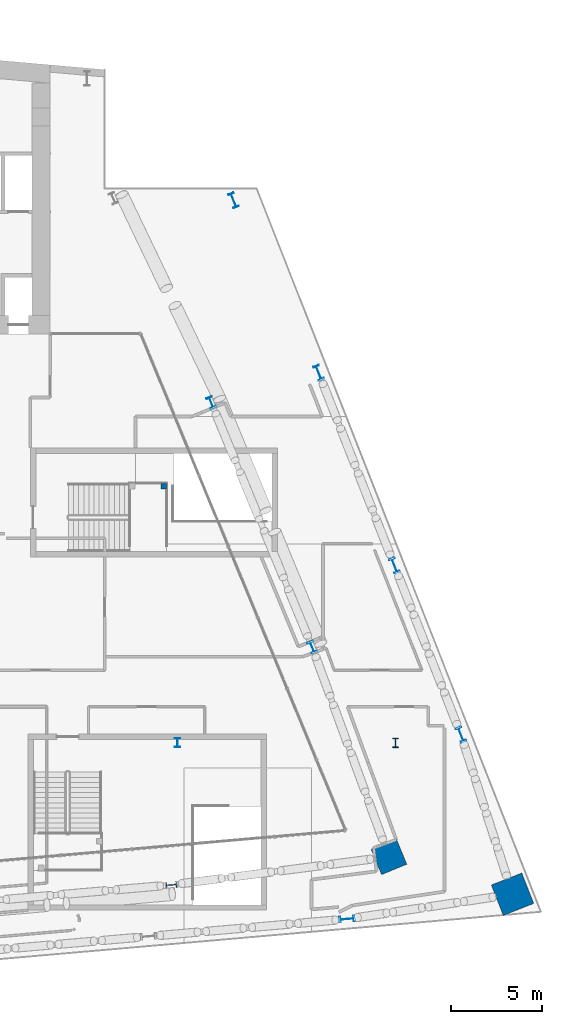
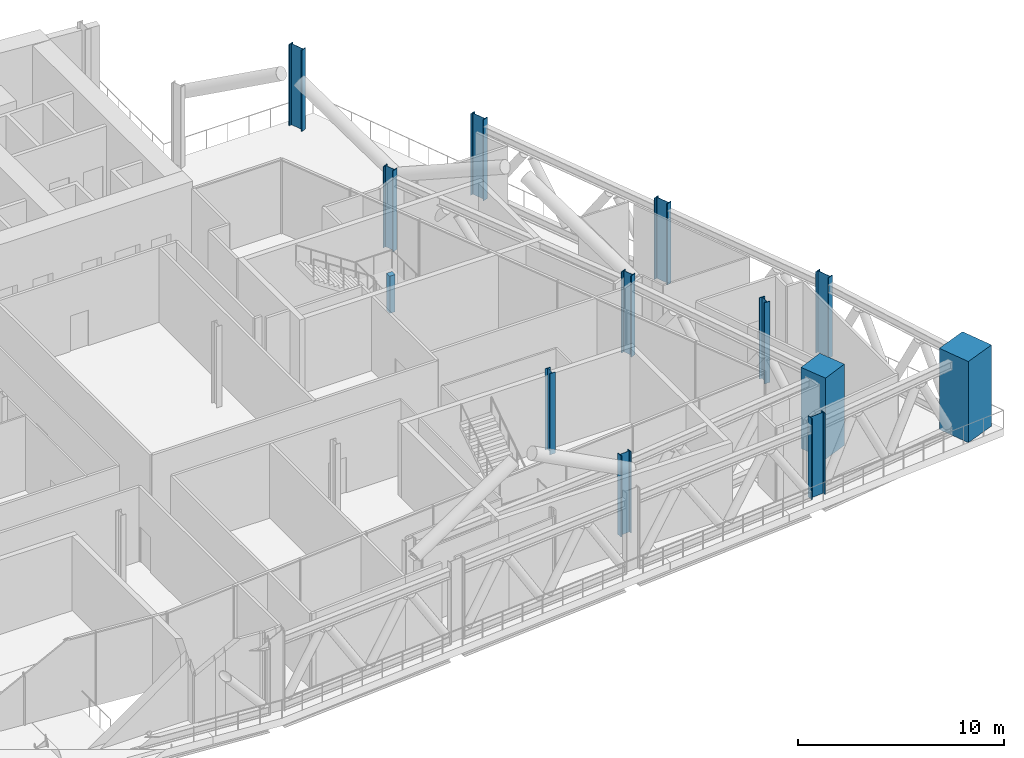
# One storey, part 4 of 42: 13 columns.
"""IFC4 building model written with IfcOpenShell, lengths in metres."""

from ifc_helpers import new_model, si_unit, direction, frame, origin, origin_2d, place, context, subcontext, project, spatial, rectangle, i_section, extrude, material, material_profile, profile_set, type_object, element, save


model = new_model("IFC4")

# Units and contexts
model_context = context("Model", 3, precision=1e-05, world=origin(), true_north=direction((0.0, 1.0)))
body_context = subcontext(model_context, "Body", "Model", "MODEL_VIEW")
ifc_project = project(units=[si_unit("LENGTHUNIT", "METRE"), si_unit("AREAUNIT", "SQUARE_METRE"), si_unit("VOLUMEUNIT", "CUBIC_METRE"), si_unit("PLANEANGLEUNIT", "RADIAN"), si_unit("MASSUNIT", "GRAM", prefix="KILO")], contexts=[model_context])

# Site, building, storey
site_placement = place(None, origin())
site = spatial("IfcSite", under=ifc_project, at=site_placement, CompositionType="ELEMENT")
building_placement = place(site_placement, origin())
building = spatial("IfcBuilding", under=site, at=building_placement, Name="Wharfspan Tower", CompositionType="ELEMENT")
storey_placement = place(building_placement, frame((0.0, 0.0, 147.100098)))
storey = spatial("IfcBuildingStorey", under=building, at=storey_placement, Name="L35", CompositionType="ELEMENT", Elevation=147.100098)

# Columns
ifc_material_1 = material(Name="Steel S355J2", Category="steel")
ifc_material_profile_1 = material_profile(ifc_material_1, i_section(OverallWidth=0.300049, OverallDepth=0.5, WebThickness=0.014404, FlangeThickness=0.028076, FilletRadius=0.0271, at=origin_2d()))
ifc_profile_set_1 = profile_set([ifc_material_profile_1], Name="Steel S355J2")
column_type_1 = type_object("IfcColumnType", Name="Column HEB 500", PredefinedType="COLUMN", material=ifc_profile_set_1)
column_1_placement = place(storey_placement, frame((72.0, 11.5, 0.0), z_axis=(0.0, 0.0, 1.0), x_axis=(1.0, 0.0, 0.0)))
element("IfcColumn", 1, at=column_1_placement, inside=storey, type_object=column_type_1, Name="Interior column I.1.5 L35", PredefinedType="COLUMN", context=body_context, shape_type="SweptSolid", body=[
    extrude(i_section(OverallWidth=0.300049, OverallDepth=0.5, WebThickness=0.014404, FlangeThickness=0.028076, FilletRadius=0.0271, at=origin_2d()), origin(), (0.0, 0.0, 1.0), 4.799805),
])
ifc_material_profile_2 = material_profile(ifc_material_1, i_section(OverallWidth=0.305908, OverallDepth=0.523926, WebThickness=0.020996, FlangeThickness=0.040039, FilletRadius=0.0271, at=origin_2d()))
ifc_profile_set_2 = profile_set([ifc_material_profile_2], Name="Steel S355J2")
column_type_2 = type_object("IfcColumnType", Name="Column HEM 500", PredefinedType="COLUMN", material=ifc_profile_set_2)
column_2_placement = place(storey_placement, frame((84.0, 11.5, 0.0), z_axis=(0.0, 0.0, 1.0), x_axis=(1.0, 0.0, 0.0)))
element("IfcColumn", 2, at=column_2_placement, inside=storey, type_object=column_type_2, Name="Interior column I.1.7.S L35", PredefinedType="COLUMN", context=body_context, shape_type="SweptSolid", body=[
    extrude(i_section(OverallWidth=0.305908, OverallDepth=0.523926, WebThickness=0.020996, FlangeThickness=0.040039, FilletRadius=0.0271, at=origin_2d()), origin(), (0.0, 0.0, 1.0), 4.799805),
])
ifc_material_profile_3 = material_profile(ifc_material_1, i_section(OverallWidth=0.304932, OverallDepth=0.620117, WebThickness=0.020996, FlangeThickness=0.040039, FilletRadius=0.0271, at=origin_2d()))
ifc_profile_set_3 = profile_set([ifc_material_profile_3], Name="Steel S355J2")
column_type_3 = type_object("IfcColumnType", Name="Column HEM 600", PredefinedType="COLUMN", material=ifc_profile_set_3)
for number, where, z_axis, x_axis, name in (
    (3, (71.661865, 3.684814, 0.0), (0.0, 0.0, 1.0), (0.087156, -0.996198, 0.0), "Perimeter column PS2.2 L35"),
    (4, (79.409668, 16.761719, 0.0), (0.0, 0.0, 1.0), (0.924325, 0.381602, 0.0), "Perimeter column PE.1 L35"),
    (5, (73.85376, 30.219238, 0.0), (0.0, 0.0, 1.0), (0.924325, 0.381602, 0.0), "Perimeter column PE.2 L35"),
):
    element("IfcColumn", number, at=place(storey_placement, frame(where, z_axis=z_axis, x_axis=x_axis)), inside=storey, type_object=column_type_3, Name=name, PredefinedType="COLUMN", context=body_context, shape_type="SweptSolid", body=[
        extrude(i_section(OverallWidth=0.304932, OverallDepth=0.620117, WebThickness=0.020996, FlangeThickness=0.040039, FilletRadius=0.0271, at=origin_2d()), origin(), (0.0, 0.0, 1.0), 4.799805),
    ])
ifc_material_profile_4 = material_profile(ifc_material_1, i_section(OverallWidth=0.302979, OverallDepth=0.813965, WebThickness=0.020996, FlangeThickness=0.040039, FilletRadius=0.030029, at=origin_2d()))
ifc_profile_set_4 = profile_set([ifc_material_profile_4], Name="Steel S355J2")
column_type_4 = type_object("IfcColumnType", Name="Column HEM 800", PredefinedType="COLUMN", material=ifc_profile_set_4)
for number, where, z_axis, x_axis, name in (
    (6, (81.327881, 1.80835, 0.0), (0.0, 0.0, 1.0), (0.087156, -0.996198, 0.0), "Perimeter column PS2.3.S L35"),
    (7, (87.586914, 11.952393, 0.0), (0.0, 0.0, 1.0), (0.930702, 0.365778, 0.0), "Perimeter column PE.1.S L35"),
    (8, (83.932617, 21.250977, 0.0), (0.0, 0.0, 1.0), (0.930702, 0.365778, 0.0), "Perimeter column PE.2.S L35"),
    (9, (79.765869, 31.852539, 0.0), (0.0, 0.0, 1.0), (0.930702, 0.365778, 0.0), "Perimeter column PE.3.S L35"),
    (10, (75.084961, 41.337646, 0.0), (0.0, 0.0, 1.0), (0.930702, 0.365778, 0.0), "Perimeter column PE.4.S L35"),
):
    element("IfcColumn", number, at=place(storey_placement, frame(where, z_axis=z_axis, x_axis=x_axis)), inside=storey, type_object=column_type_4, Name=name, PredefinedType="COLUMN", context=body_context, shape_type="SweptSolid", body=[
        extrude(i_section(OverallWidth=0.302979, OverallDepth=0.813965, WebThickness=0.020996, FlangeThickness=0.040039, FilletRadius=0.030029, at=origin_2d()), origin(), (0.0, 0.0, 1.0), 4.799805),
    ])
ifc_material_2 = material(Name="Concrete C40/50", Category="concrete")
ifc_material_profile_5 = material_profile(ifc_material_2, rectangle(XDim=0.300049, YDim=0.300049, at=origin_2d()))
ifc_profile_set_5 = profile_set([ifc_material_profile_5], Name="Concrete C40/50")
column_type_5 = type_object("IfcColumnType", Name="Landing pier 300 C40/50", PredefinedType="COLUMN", material=ifc_profile_set_5)
column_3_placement = place(storey_placement, frame((71.254883, 25.625, 0.0), z_axis=(0.0, 0.0, 1.0), x_axis=(1.0, 0.0, 0.0)))
element("IfcColumn", 11, at=column_3_placement, inside=storey, type_object=column_type_5, Name="ST6 landing pier L35", PredefinedType="COLUMN", context=body_context, shape_type="SweptSolid", body=[
    extrude(rectangle(XDim=0.300049, YDim=0.300049, at=origin_2d()), origin(), (0.0, 0.0, 1.0), 2.199951),
])
ifc_material_3 = material(Name="Concrete C60/75", Category="concrete")
ifc_material_profile_6 = material_profile(ifc_material_3, rectangle(XDim=1.5, YDim=1.5, at=origin_2d()))
ifc_profile_set_6 = profile_set([ifc_material_profile_6], Name="Concrete C60/75")
column_type_6 = type_object("IfcColumnType", Name="Mega column 1500 C60/75", PredefinedType="COLUMN", material=ifc_profile_set_6)
column_4_placement = place(storey_placement, frame((83.632568, 5.230713, 0.0), z_axis=(0.0, 0.0, 1.0), x_axis=(-0.381602, 0.924325, 0.0)))
element("IfcColumn", 12, at=column_4_placement, inside=storey, type_object=column_type_6, Name="Mega column MC4 L35", PredefinedType="COLUMN", context=body_context, shape_type="SweptSolid", body=[
    extrude(rectangle(XDim=1.5, YDim=1.5, at=origin_2d()), origin(), (0.0, 0.0, 1.0), 4.799805),
])
ifc_material_4 = material(Name="Concrete C70/85", Category="concrete")
ifc_material_profile_7 = material_profile(ifc_material_4, rectangle(XDim=1.800049, YDim=1.800049, at=origin_2d()))
ifc_profile_set_7 = profile_set([ifc_material_profile_7], Name="Concrete C70/85")
column_type_7 = type_object("IfcColumnType", Name="Mega column 1800 C70/85", PredefinedType="COLUMN", material=ifc_profile_set_7)
column_5_placement = place(storey_placement, frame((90.427246, 3.174072, 0.0), z_axis=(0.0, 0.0, 1.0), x_axis=(-0.365778, 0.930702, 0.0)))
element("IfcColumn", 13, at=column_5_placement, inside=storey, type_object=column_type_7, Name="Mega column MC4.S L35", PredefinedType="COLUMN", context=body_context, shape_type="SweptSolid", body=[
    extrude(rectangle(XDim=1.800049, YDim=1.800049, at=origin_2d()), origin(), (0.0, 0.0, 1.0), 4.799805),
])

save(model, "model.ifc")
